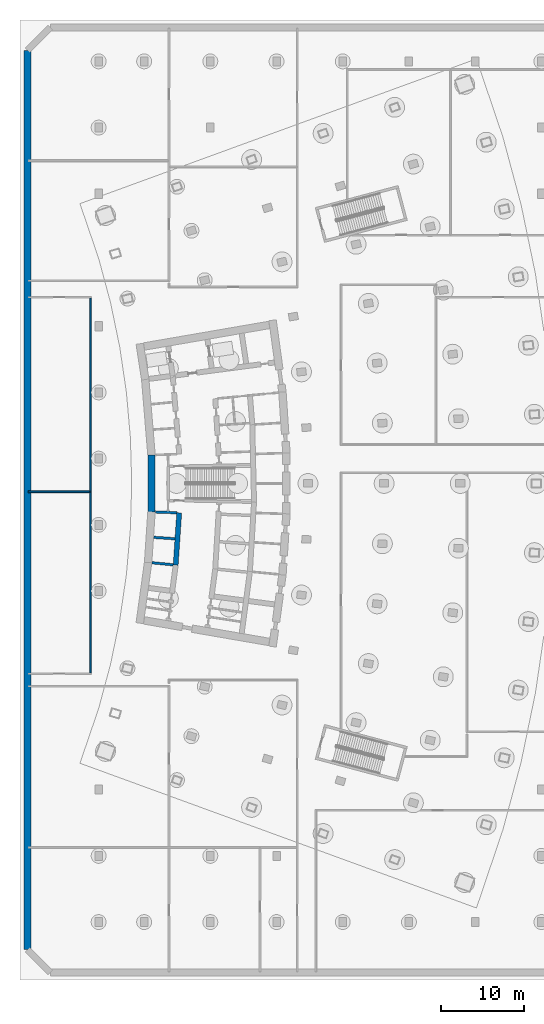
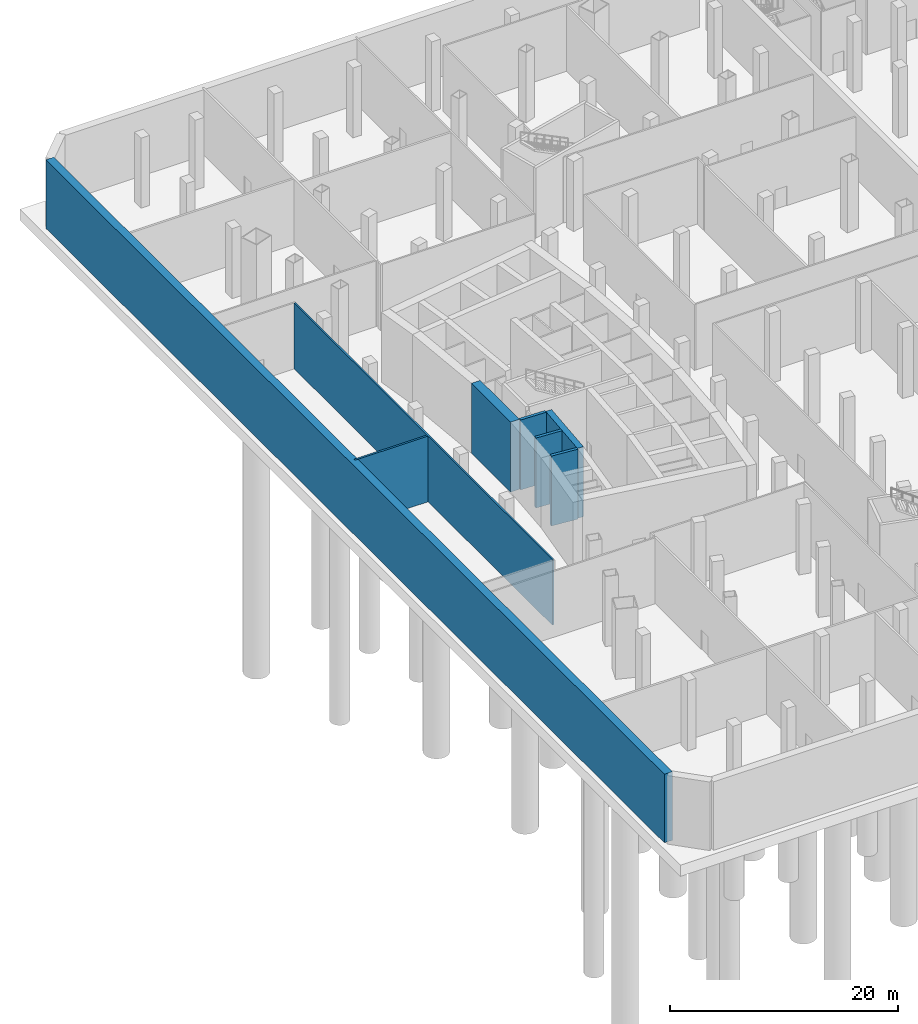
# One storey, part 5 of 19: 8 walls.
"""IFC4 building model written with IfcOpenShell, lengths in metres."""

from ifc_helpers import new_model, si_unit, direction, frame, frame_2d, origin, place, context, subcontext, project, spatial, rectangle, extrude, material, layer, layer_set, type_object, element, save


model = new_model("IFC4")

# Units and contexts
model_context = context("Model", 3, precision=1e-05, world=origin(), true_north=direction((0.0, 1.0)))
body_context = subcontext(model_context, "Body", "Model", "MODEL_VIEW")
ifc_project = project(units=[si_unit("LENGTHUNIT", "METRE"), si_unit("AREAUNIT", "SQUARE_METRE"), si_unit("VOLUMEUNIT", "CUBIC_METRE"), si_unit("PLANEANGLEUNIT", "RADIAN"), si_unit("MASSUNIT", "GRAM", prefix="KILO")], contexts=[model_context])

# Site, building, storey
site_placement = place(None, origin())
site = spatial("IfcSite", under=ifc_project, at=site_placement, CompositionType="ELEMENT")
building_placement = place(site_placement, origin())
building = spatial("IfcBuilding", under=site, at=building_placement, Name="Alderwake Tower", CompositionType="ELEMENT")
storey_placement = place(building_placement, frame((0.0, 0.0, -14.0)))
storey = spatial("IfcBuildingStorey", under=building, at=storey_placement, Name="B2", CompositionType="ELEMENT", Elevation=-14.0)

# Walls
ifc_material_1 = material(Name="Concrete C50/60", Category="concrete")
ifc_layer_1 = layer(ifc_material_1, 0.800048828125)
ifc_layer_set_1 = layer_set([ifc_layer_1], Name="Basement retaining wall 800")
wall_type_1 = type_object("IfcWallType", Name="Basement retaining wall 800", PredefinedType="SOLIDWALL", material=ifc_layer_set_1)
wall_1_placement = place(storey_placement, frame((1.89990234375, 4.665771484375, -0.300048828125), z_axis=(0.0, 0.0, 1.0), x_axis=(0.0, 1.0, 0.0)))
element("IfcWall", 1, at=wall_1_placement, inside=storey, type_object=wall_type_1, Name="Retaining wall 2", PredefinedType="SOLIDWALL", context=body_context, shape_type="SweptSolid", body=[
    extrude(rectangle(XDim=108.66845703125, YDim=0.800048828125, at=frame_2d((54.334228515625, 0.0))), origin(), (0.0, 0.0, 1.0), 7.35009765625),
])
ifc_material_2 = material(Name="Concrete C70/85", Category="concrete")
ifc_layer_2 = layer(ifc_material_2, 0.89990234375)
ifc_layer_set_2 = layer_set([ifc_layer_2], Name="Core wall outer 900 C70-85")
wall_type_2 = type_object("IfcWallType", Name="Core wall outer 900 C70-85", PredefinedType="SHEAR", material=ifc_layer_set_2)
wall_2_placement = place(storey_placement, frame((16.889404296875, 57.5546875, 0.0), z_axis=(0.0, 0.0, 1.0), x_axis=(0.0, 1.0, 0.0)))
element("IfcWall", 2, at=wall_2_placement, inside=storey, type_object=wall_type_2, Name="Core wall CW.043", PredefinedType="SHEAR", context=body_context, shape_type="SweptSolid", body=[
    extrude(rectangle(XDim=6.89404296875, YDim=0.89990234375, at=frame_2d((3.447021484375, 0.0))), origin(), (0.0, 0.0, 1.0), 7.5),
])
ifc_material_3 = material(Name="Concrete C70/85", Category="concrete")
ifc_layer_3 = layer(ifc_material_3, 0.300048828125)
ifc_layer_set_3 = layer_set([ifc_layer_3], Name="Core wall shaft 300 C70-85")
wall_type_3 = type_object("IfcWallType", Name="Core wall shaft 300 C70-85", PredefinedType="SHEAR", material=ifc_layer_set_3)
wall_3_placement = place(storey_placement, frame((16.9580078125, 51.4189453125, 0.0), z_axis=(0.0, 0.0, 1.0), x_axis=(0.995153154577, -0.098337169657, 0.0)))
element("IfcWall", 3, at=wall_3_placement, inside=storey, type_object=wall_type_3, Name="Core wall CW.065", PredefinedType="SHEAR", context=body_context, shape_type="SweptSolid", body=[
    extrude(rectangle(XDim=2.569580078125, YDim=0.300048828125, at=frame_2d((1.28466796875, 0.0))), origin(), (0.0, 0.0, 1.0), 7.5),
])
wall_4_placement = place(storey_placement, frame((17.16357421875, 54.486083984375, 0.0), z_axis=(0.0, 0.0, 1.0), x_axis=(0.997758581961, -0.066916456292, 0.0)))
element("IfcWall", 4, at=wall_4_placement, inside=storey, type_object=wall_type_3, Name="Core wall CW.079", PredefinedType="SHEAR", context=body_context, shape_type="SweptSolid", body=[
    extrude(rectangle(XDim=2.568603515625, YDim=0.300048828125, at=frame_2d((1.2841796875, 0.0))), origin(), (0.0, 0.0, 1.0), 7.5),
])
wall_5_placement = place(storey_placement, frame((17.369140625, 57.553466796875, 0.0), z_axis=(0.0, 0.0, 1.0), x_axis=(0.99937189907, -0.035437372217, 0.0)))
element("IfcWall", 5, at=wall_5_placement, inside=storey, type_object=wall_type_3, Name="Core wall CW.076", PredefinedType="SHEAR", context=body_context, shape_type="SweptSolid", body=[
    extrude(rectangle(XDim=2.56982421875, YDim=0.300048828125, at=frame_2d((1.284912109375, 0.0))), origin(), (0.0, 0.0, 1.0), 7.5),
])
ifc_material_4 = material(Name="Concrete C70/85", Category="concrete")
ifc_layer_4 = layer(ifc_material_4, 0.60009765625)
ifc_layer_set_4 = layer_set([ifc_layer_4], Name="Core wall spine 600 C70-85")
wall_type_4 = type_object("IfcWallType", Name="Core wall spine 600 C70-85", PredefinedType="SHEAR", material=ifc_layer_set_4)
wall_6_placement = place(storey_placement, frame((19.813232421875, 51.12646484375, 0.0), z_axis=(0.0, 0.0, 1.0), x_axis=(0.066892179723, 0.997760209816, 0.0)))
element("IfcWall", 6, at=wall_6_placement, inside=storey, type_object=wall_type_4, Name="Core wall CW.032", PredefinedType="SHEAR", context=body_context, shape_type="SweptSolid", body=[
    extrude(rectangle(XDim=6.339599609375, YDim=0.60009765625, at=frame_2d((3.169921875, 0.0))), origin(), (0.0, 0.0, 1.0), 7.5),
])
ifc_material_5 = material(Name="Gypsum board on metal studs, rated")
ifc_layer_5 = layer(ifc_material_5, 0.159912109375)
ifc_layer_set_5 = layer_set([ifc_layer_5], Name="Corridor wall 160")
wall_type_5 = type_object("IfcWallType", Name="Corridor wall 160", PredefinedType="PARTITIONING", material=ifc_layer_set_5)
wall_7_placement = place(storey_placement, frame((9.5009765625, 83.4189453125, 0.0), z_axis=(0.0, 0.0, 1.0), x_axis=(0.0, -1.0, 0.0)))
element("IfcWall", 7, at=wall_7_placement, inside=storey, type_object=wall_type_5, Name="WL/B2/W36", PredefinedType="PARTITIONING", context=body_context, shape_type="SweptSolid", body=[
    extrude(rectangle(XDim=45.337890625, YDim=0.159912109375, at=frame_2d((22.6689453125, 0.0))), origin(), (0.0, 0.0, 1.0), 7.050048828125),
])
ifc_material_6 = material(Name="Dense block masonry wall", Category="masonry")
ifc_layer_6 = layer(ifc_material_6, 0.199951171875)
ifc_layer_set_6 = layer_set([ifc_layer_6], Name="Party wall 200")
wall_type_6 = type_object("IfcWallType", Name="Party wall 200", PredefinedType="SOLIDWALL", material=ifc_layer_set_6)
wall_8_placement = place(storey_placement, frame((9.4208984375, 60.0, 0.0), z_axis=(0.0, 0.0, 1.0), x_axis=(-1.0, 0.0, 0.0)))
element("IfcWall", 8, at=wall_8_placement, inside=storey, type_object=wall_type_6, Name="WL/B2/W02", PredefinedType="SOLIDWALL", context=body_context, shape_type="SweptSolid", body=[
    extrude(rectangle(XDim=7.419921875, YDim=0.199951171875, at=frame_2d((3.7099609375, 0.0))), origin(), (0.0, 0.0, 1.0), 7.050048828125),
])

save(model, "model.ifc")
